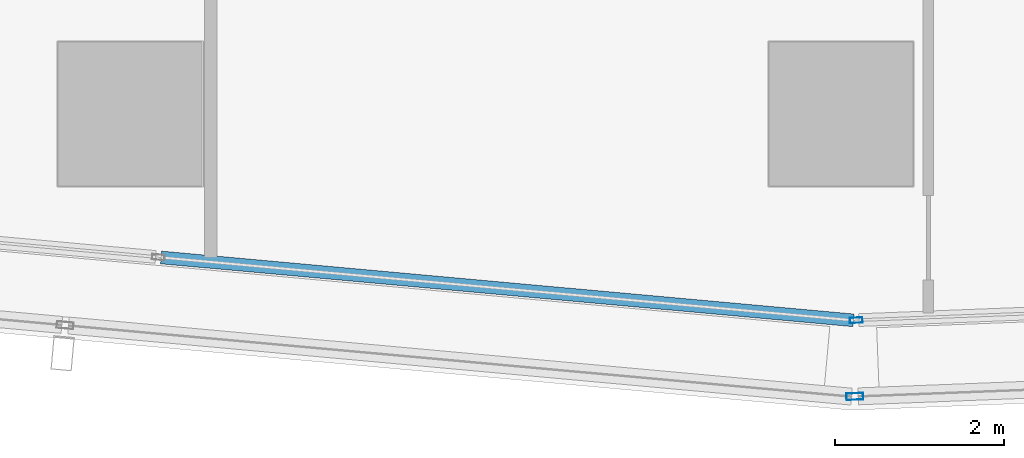
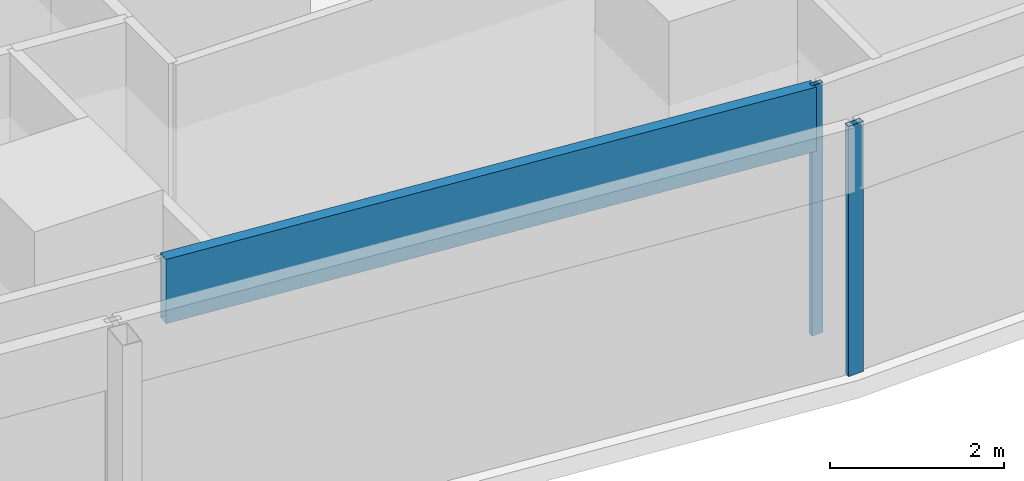
# One storey, part 5 of 40: 3 members, 3 elements without a shape of their own.
"""IFC4 building model written with IfcOpenShell, lengths in metres."""

import ifcopenshell
import ifcopenshell.guid

model = None  # the IFC model being written
_history = None  # IfcOwnerHistory: only IFC2X3 demands one
_inside = {}  # id of a spatial element -> (the spatial element, [elements in it])
_under = {}  # id of a project, library or spatial element -> (it, [spatial elements below it])
_declared = {}  # id of a project -> (the project, [libraries it declares])
_typed = {}  # id of a type object -> (the type object, [elements of that type])
_made_of = {}  # id of a material, layer set ... -> (it, [elements and type objects made of it])


def new_model(schema):
    """Start an empty IFC model of exactly this schema.

    Asked for "IFC4X3", IfcOpenShell would pick the latest addendum, in which some entities
    have other attributes; the version numbers below select the first issue.
    IFC2X3 requires an IfcOwnerHistory on every rooted entity: one is made here for all.
    """
    global model, _history
    if schema == "IFC4X3":
        model = ifcopenshell.file(schema_version=(4, 3, 0, 0))
    else:
        model = ifcopenshell.file(schema=schema)
    _inside.clear()
    _under.clear()
    _declared.clear()
    _typed.clear()
    _made_of.clear()
    _history = None
    if model.schema == "IFC2X3":
        org = make("IfcOrganization", Name="unknown")
        user = make(
            "IfcPersonAndOrganization",
            ThePerson=make("IfcPerson", FamilyName="unknown"),
            TheOrganization=org,
        )
        app = make(
            "IfcApplication",
            ApplicationDeveloper=org,
            Version="unknown",
            ApplicationFullName="unknown",
            ApplicationIdentifier="unknown",
        )
        _history = make(
            "IfcOwnerHistory",
            OwningUser=user,
            OwningApplication=app,
            ChangeAction="ADDED",
            CreationDate=0,
        )
    return model


def make(cls, **values):
    """One entity of the class cls with the attributes given. An attribute that is None is left unset."""
    return model.create_entity(
        cls, **{name: value for name, value in values.items() if value is not None}
    )


def rooted(cls, **values):
    """An entity with a GlobalId (a new one), such as an element, a storey or a relation."""
    return make(cls, GlobalId=ifcopenshell.guid.new(), OwnerHistory=_history, **values)


def si_unit(unit_type, name, prefix=None):
    """IfcSIUnit, for example si_unit("LENGTHUNIT", "METRE", prefix="MILLI")."""
    return make("IfcSIUnit", UnitType=unit_type, Prefix=prefix, Name=name)


def assignment(units):
    """IfcUnitAssignment: the units of a project."""
    return None if units is None else make("IfcUnitAssignment", Units=units)


def point(xyz):
    """IfcCartesianPoint."""
    return None if xyz is None else make("IfcCartesianPoint", Coordinates=xyz)


def direction(xyz):
    """IfcDirection."""
    return None if xyz is None else make("IfcDirection", DirectionRatios=xyz)


def frame(location, z_axis=None, x_axis=None):
    """IfcAxis2Placement3D, a coordinate frame: its origin and axes. An axis left out is left unset."""
    return make(
        "IfcAxis2Placement3D",
        Location=point(location),
        Axis=direction(z_axis),
        RefDirection=direction(x_axis),
    )


def frame_2d(location, x_axis=None):
    """IfcAxis2Placement2D, a coordinate frame in the plane: its origin and x axis."""
    return make(
        "IfcAxis2Placement2D", Location=point(location), RefDirection=direction(x_axis)
    )


def origin():
    """The frame at (0, 0, 0) with its axes left unset."""
    return frame((0.0, 0.0, 0.0))


def origin_2d():
    """The frame at (0, 0) in the plane with its x axis left unset."""
    return frame_2d((0.0, 0.0))


def place(relative_to, where):
    """IfcLocalPlacement: puts the frame where relative to a parent placement (None: the world)."""
    return make(
        "IfcLocalPlacement", PlacementRelTo=relative_to, RelativePlacement=where
    )


def context(
    kind, dimensions, precision=None, world=None, true_north=None, identifier=None
):
    """IfcGeometricRepresentationContext, for example the 3D "Model" context."""
    return make(
        "IfcGeometricRepresentationContext",
        ContextIdentifier=identifier,
        ContextType=kind,
        CoordinateSpaceDimension=dimensions,
        Precision=precision,
        WorldCoordinateSystem=world,
        TrueNorth=true_north,
    )


def subcontext(parent, identifier, kind, view, scale=None):
    """IfcGeometricRepresentationSubContext, for example "Body" below "Model"."""
    return make(
        "IfcGeometricRepresentationSubContext",
        ContextIdentifier=identifier,
        ContextType=kind,
        ParentContext=parent,
        TargetScale=scale,
        TargetView=view,
    )


def project(units=None, contexts=None):
    """IfcProject with its units and contexts."""
    return rooted(
        "IfcProject",
        Name="project",
        RepresentationContexts=contexts,
        UnitsInContext=assignment(units),
    )


def spatial(cls, under=None, at=None, **own):
    """A site, building, storey or space (cls), placed at a placement, below another one or the project."""
    s = rooted(cls, ObjectPlacement=at, **own)
    if under is not None:
        _under.setdefault(under.id(), (under, []))[1].append(s)
    return s


def profile(cls, at=None, kind="AREA", **sizes):
    """A parametric profile (cls). Its sizes go by their IFC names, for example OverallWidth=200.0."""
    return make(cls, ProfileType=kind, Position=at, **sizes)


def hollow_rectangle(**sizes):
    """IfcRectangleHollowProfileDef."""
    return profile("IfcRectangleHollowProfileDef", **sizes)


def extrude(swept, where, along, depth):
    """IfcExtrudedAreaSolid: the profile swept, set in the frame where, extruded along a direction by depth."""
    return make(
        "IfcExtrudedAreaSolid",
        SweptArea=swept,
        Position=where,
        ExtrudedDirection=direction(along),
        Depth=depth,
    )


def shape(context_of_items, identifier, shape_type, items):
    """IfcShapeRepresentation: the items that make up one representation, for example the "Body"."""
    return make(
        "IfcShapeRepresentation",
        ContextOfItems=context_of_items,
        RepresentationIdentifier=identifier,
        RepresentationType=shape_type,
        Items=items,
    )


def material(Name=None, Category=None):
    """IfcMaterial."""
    return make("IfcMaterial", Name=Name, Category=Category)


def material_profile(
    of_material, cross_section, Name=None, Category=None, Priority=None
):
    """IfcMaterialProfile: a cross section and its material."""
    return make(
        "IfcMaterialProfile",
        Name=Name,
        Material=of_material,
        Profile=cross_section,
        Priority=Priority,
        Category=Category,
    )


def profile_set(profiles, Name=None, composite=None):
    """IfcMaterialProfileSet."""
    return make(
        "IfcMaterialProfileSet",
        Name=Name,
        MaterialProfiles=profiles,
        CompositeProfile=composite,
    )


def made_of(thing, what):
    """Note that an element or type object is made of a material, layer set ...; save() writes the relation."""
    if what is not None:
        _made_of.setdefault(what.id(), (what, []))[1].append(thing)
    return thing


def type_object(cls, material=None, **own):
    """A type object (cls), such as IfcWallType, which elements share."""
    return made_of(rooted(cls, **own), material)


def element(
    cls,
    number,
    at=None,
    inside=None,
    cuts=None,
    type_object=None,
    material=None,
    context=None,
    identifier="Body",
    shape_type=None,
    held_by="IfcProductDefinitionShape",
    body=None,
    shapes=None,
    **own,
):
    """One element of the class cls, such as IfcWall. Its Tag is "e" and its number.

    at: its placement. inside: the storey or other place that contains it. cuts: it is an
    opening in that element (IfcRelVoidsElement). A single representation is given by context,
    identifier, shape_type and body (its items); several are given by shapes. held_by: the class
    of the entity that holds the representations. save() writes the other relations.
    """
    e = rooted(cls, Tag="e%d" % number, ObjectPlacement=at, **own)
    if body is not None:
        shapes = [shape(context, identifier, shape_type, body)]
    if shapes is not None:
        e.Representation = make(held_by, Representations=shapes)
    if inside is not None:
        _inside.setdefault(inside.id(), (inside, []))[1].append(e)
    if cuts is not None:
        rooted(
            "IfcRelVoidsElement", RelatingBuildingElement=cuts, RelatedOpeningElement=e
        )
    if type_object is not None:
        _typed.setdefault(type_object.id(), (type_object, []))[1].append(e)
    return made_of(e, material)


def aggregate(whole, parts):
    """IfcRelAggregates: a whole, such as a stair, and the parts it consists of."""
    return rooted("IfcRelAggregates", RelatingObject=whole, RelatedObjects=parts)


def save(model, path):
    """Write the relations noted so far, then the file.

    IfcRelAggregates (storeys below a building ...), IfcRelContainedInSpatialStructure (elements
    in a storey), IfcRelDefinesByType, IfcRelAssociatesMaterial and IfcRelDeclares: one each for
    every whole, place, type object, material and project.
    """
    for whole, parts in _under.values():
        aggregate(whole, parts)
    for where, things in _inside.values():
        rooted(
            "IfcRelContainedInSpatialStructure",
            RelatedElements=things,
            RelatingStructure=where,
        )
    for kind, things in _typed.values():
        rooted("IfcRelDefinesByType", RelatedObjects=things, RelatingType=kind)
    for what, things in _made_of.values():
        rooted("IfcRelAssociatesMaterial", RelatedObjects=things, RelatingMaterial=what)
    for by, libraries in _declared.values():
        rooted("IfcRelDeclares", RelatingContext=by, RelatedDefinitions=libraries)
    model.write(path)


model = new_model("IFC4")

# Units and contexts
model_context = context("Model", 3, precision=1e-05, world=origin(), true_north=direction((0.0, 1.0)))
body_context = subcontext(model_context, "Body", "Model", "MODEL_VIEW")
ifc_project = project(units=[si_unit("LENGTHUNIT", "METRE"), si_unit("AREAUNIT", "SQUARE_METRE"), si_unit("VOLUMEUNIT", "CUBIC_METRE"), si_unit("PLANEANGLEUNIT", "RADIAN"), si_unit("MASSUNIT", "GRAM", prefix="KILO")], contexts=[model_context])

# Site, building, storey
site_placement = place(None, origin())
site = spatial("IfcSite", under=ifc_project, at=site_placement, CompositionType="ELEMENT")
building_placement = place(site_placement, origin())
building = spatial("IfcBuilding", under=site, at=building_placement, Name="Rekha Terrace Tower", CompositionType="ELEMENT")
storey_placement = place(building_placement, frame((0.0, 0.0, 102.800048828125)))
storey = spatial("IfcBuildingStorey", under=building, at=storey_placement, Name="L25", CompositionType="ELEMENT", Elevation=102.800048828125)

# Curtain wall, member
ifc_material_1 = material(Name="Aluminium framing", Category="aluminium")
curtain_wall_type_1 = type_object("IfcCurtainWallType", Name="CW1 double skin inner glazing", PredefinedType="USERDEFINED", material=ifc_material_1)
curtain_wall_1_placement = place(storey_placement, origin())
curtain_wall_1 = element("IfcCurtainWall", 1, at=curtain_wall_1_placement, inside=storey, type_object=curtain_wall_type_1, Name="CW1 double skin inner glazing", ObjectType="DOUBLE SKIN INNER GLAZING", PredefinedType="USERDEFINED")
ifc_material_2 = material(Name="Aluminium mullion section", Category="aluminium")
ifc_material_profile_1 = material_profile(ifc_material_2, hollow_rectangle(XDim=0.06494140625, YDim=0.14990234375, WallThickness=0.00390625, at=origin_2d()), Name="AL RHS 65x150")
ifc_profile_set_1 = profile_set([ifc_material_profile_1], Name="Aluminium mullion section")
member_type_1 = type_object("IfcMemberType", Name="CW1 mullion RHS 65 x 150", PredefinedType="MULLION", material=ifc_profile_set_1)
member_1_placement = place(storey_placement, frame((25.3798828125, 14.363037109375, 0.0), z_axis=(0.0, 0.0, 1.0), x_axis=(-0.038889971345, 0.999243498917, 0.0)))
member_1 = element("IfcMember", 2, at=member_1_placement, type_object=member_type_1, Name="CW1 mullion 1", PredefinedType="MULLION", context=body_context, shape_type="SweptSolid", body=[
    extrude(hollow_rectangle(XDim=0.06494140625, YDim=0.14990234375, WallThickness=0.00390625, at=origin_2d()), origin(), (0.0, 0.0, 1.0), 3.5),
])
aggregate(curtain_wall_1, [member_1])

curtain_wall_2_placement = place(storey_placement, origin())
curtain_wall_2 = element("IfcCurtainWall", 3, at=curtain_wall_2_placement, inside=storey, type_object=curtain_wall_type_1, Name="CW1 double skin inner glazing", ObjectType="DOUBLE SKIN INNER GLAZING", PredefinedType="USERDEFINED")
ifc_material_3 = material(Name="Insulated aluminium spandrel box", Category="aluminium")
ifc_material_profile_2 = material_profile(ifc_material_3, hollow_rectangle(XDim=0.14990234375, YDim=0.89990234375, WallThickness=0.0029296875, at=origin_2d()), Name="AL SPANDREL BOX 150x900")
ifc_profile_set_2 = profile_set([ifc_material_profile_2], Name="Insulated aluminium spandrel box")
member_type_2 = type_object("IfcMemberType", Name="CW1 spandrel transom 150 x 900", PredefinedType="USERDEFINED", material=ifc_profile_set_2)
member_2_placement = place(storey_placement, frame((17.16650390625, 15.104736328125, 3.050048828125), z_axis=(0.995901971759, -0.090439276017, 0.0), x_axis=(0.090439276017, 0.995901971759, 0.0)))
member_2 = element("IfcMember", 4, at=member_2_placement, type_object=member_type_2, Name="CW1 spandrel transom 2", ObjectType="TRANSOM", PredefinedType="USERDEFINED", context=body_context, shape_type="SweptSolid", body=[
    extrude(hollow_rectangle(XDim=0.14990234375, YDim=0.89990234375, WallThickness=0.0029296875, at=origin_2d()), origin(), (0.0, 0.0, 1.0), 8.214599609375),
])
aggregate(curtain_wall_2, [member_2])

curtain_wall_type_2 = type_object("IfcCurtainWallType", Name="CW2 double skin outer glazing", PredefinedType="USERDEFINED", material=ifc_material_1)
curtain_wall_3_placement = place(storey_placement, origin())
curtain_wall_3 = element("IfcCurtainWall", 5, at=curtain_wall_3_placement, inside=storey, type_object=curtain_wall_type_2, Name="CW2 double skin outer glazing", ObjectType="DOUBLE SKIN OUTER GLAZING", PredefinedType="USERDEFINED")
ifc_material_profile_3 = material_profile(ifc_material_2, hollow_rectangle(XDim=0.080078125, YDim=0.199951171875, WallThickness=0.00390625, at=origin_2d()), Name="AL RHS 80x200")
ifc_profile_set_3 = profile_set([ifc_material_profile_3], Name="Aluminium mullion section")
member_type_3 = type_object("IfcMemberType", Name="CW2 mullion RHS 80 x 200", PredefinedType="MULLION", material=ifc_profile_set_3)
member_3_placement = place(storey_placement, frame((25.364013671875, 13.4619140625, 0.0), z_axis=(0.0, 0.0, 1.0), x_axis=(-0.038889971345, 0.999243498917, 0.0)))
member_3 = element("IfcMember", 6, at=member_3_placement, type_object=member_type_3, Name="CW2 mullion 1", PredefinedType="MULLION", context=body_context, shape_type="SweptSolid", body=[
    extrude(hollow_rectangle(XDim=0.080078125, YDim=0.199951171875, WallThickness=0.00390625, at=origin_2d()), origin(), (0.0, 0.0, 1.0), 3.5),
])
aggregate(curtain_wall_3, [member_3])

save(model, "model.ifc")
